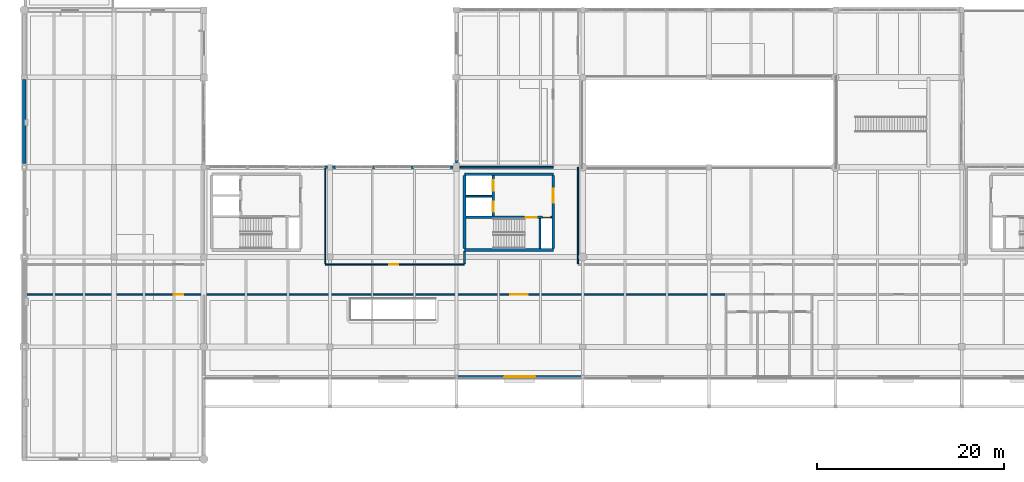
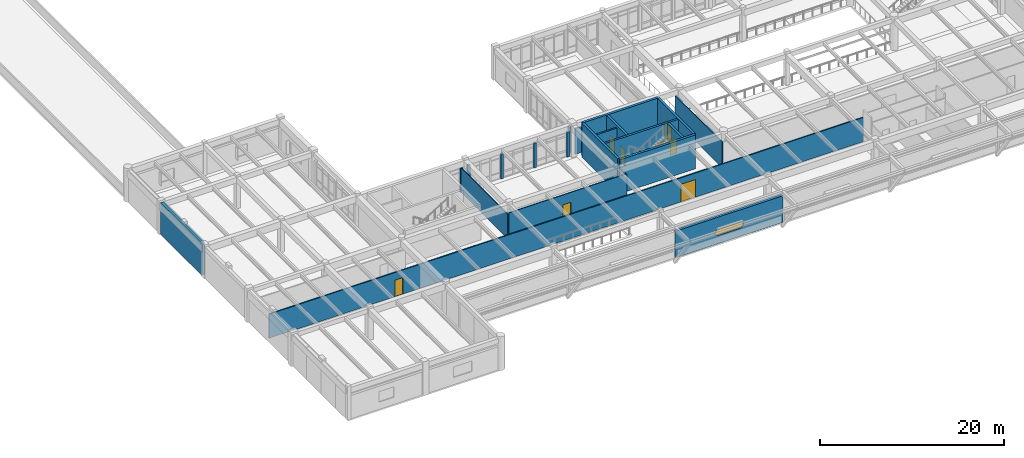
# One storey, part 88 of 109: 22 walls, 8 doors, 1 window, 9 openings.
"""IFC4 building model written with IfcOpenShell, lengths in metres."""

from ifc_helpers import new_model, si_unit, direction, frame, frame_2d, origin, place, context, subcontext, project, spatial, polyline, rectangle, outline, extrude, material, layer, layer_set, type_object, element, fill, save


model = new_model("IFC4")

# Units and contexts
model_context = context("Model", 3, precision=1e-05, world=origin(), true_north=direction((0.0, 1.0)))
body_context = subcontext(model_context, "Body", "Model", "MODEL_VIEW")
ifc_project = project(units=[si_unit("LENGTHUNIT", "METRE"), si_unit("AREAUNIT", "SQUARE_METRE"), si_unit("VOLUMEUNIT", "CUBIC_METRE"), si_unit("PLANEANGLEUNIT", "RADIAN"), si_unit("MASSUNIT", "GRAM", prefix="KILO")], contexts=[model_context])

# Site, building, storey
site_placement = place(None, origin())
site = spatial("IfcSite", under=ifc_project, at=site_placement, CompositionType="ELEMENT")
building_placement = place(site_placement, origin())
building = spatial("IfcBuilding", under=site, at=building_placement, Name="Fikremerkos Civic Library", CompositionType="ELEMENT")
storey_placement = place(building_placement, frame((0.0, 0.0, 5.39990234375)))
storey = spatial("IfcBuildingStorey", under=building, at=storey_placement, Name="L01", CompositionType="ELEMENT", Elevation=5.39990234375)

# Walls
ifc_material_1 = material(Name="Concrete C40/50", Category="concrete")
ifc_layer_1 = layer(ifc_material_1, 0.300048828125, Name="Concrete C40/50")
ifc_layer_set_1 = layer_set([ifc_layer_1], Name="Concrete C40/50")
wall_type_1 = type_object("IfcWallType", Name="Core shear wall CSW-01 300", PredefinedType="SHEAR", material=ifc_layer_set_1)
for number, where, z_axis, x_axis, name in (
    (1, (56.550048828125, 22.35009765625, 0.0), (0.0, 0.0, 1.0), (-1.0, 0.0, 0.0), "Core K3 south shear wall L01"),
    (2, (47.050048828125, 30.449951171875, 0.0), (0.0, 0.0, 1.0), (1.0, 0.0, 0.0), "Core K3 north shear wall L01"),
):
    element("IfcWall", number, at=place(storey_placement, frame(where, z_axis=z_axis, x_axis=x_axis)), inside=storey, type_object=wall_type_1, Name=name, PredefinedType="SHEAR", context=body_context, shape_type="SweptSolid", body=[
        extrude(rectangle(XDim=9.5, YDim=0.300048828125, at=frame_2d((4.75, 0.0))), origin(), (0.0, 0.0, 1.0), 4.5),
    ])
wall_1_placement = place(storey_placement, frame((47.050048828125, 22.501953125, 0.0), z_axis=(0.0, 0.0, 1.0), x_axis=(0.0, 1.0, 0.0)))
element("IfcWall", 3, at=wall_1_placement, inside=storey, type_object=wall_type_1, Name="Core K3 west shear wall L01", PredefinedType="SHEAR", context=body_context, shape_type="SweptSolid", body=[
    extrude(rectangle(XDim=7.796142578125, YDim=0.300048828125, at=frame_2d((3.89794921875, 0.0))), origin(), (0.0, 0.0, 1.0), 4.5),
])

# Wall, opening, door
wall_2_placement = place(storey_placement, frame((56.550048828125, 30.298095703125, 0.0), z_axis=(0.0, 0.0, 1.0), x_axis=(0.0, -1.0, 0.0)))
wall_2 = element("IfcWall", 4, at=wall_2_placement, inside=storey, type_object=wall_type_1, Name="Core K3 east shear wall L01", PredefinedType="SHEAR", context=body_context, shape_type="SweptSolid", body=[
    extrude(rectangle(XDim=7.796142578125, YDim=0.300048828125, at=frame_2d((3.89794921875, 0.0))), origin(), (0.0, 0.0, 1.0), 4.5),
])
opening_1_placement = place(wall_2_placement, frame((1.39794921875, 0.0, 0.0)))
opening_1 = element("IfcOpeningElement", 5, at=opening_1_placement, cuts=wall_2, Name="Opening D086", PredefinedType="OPENING", context=body_context, shape_type="SweptSolid", body=[
    extrude(rectangle(XDim=1.5, YDim=2.25, at=frame_2d((0.75, 1.125))), frame((0.0, 0.159912109375, 0.0), z_axis=(0.0, -1.0, 0.0), x_axis=(1.0, 0.0, 0.0)), (0.0, 0.0, 1.0), 0.320068359375),
])
ifc_material_2 = material(Name="Hardwood timber and acoustic glass", Category="wood")
door_type_1 = type_object("IfcDoorType", Name="Pedestrian door DT-05 1500x2250", OperationType="NOTDEFINED", PredefinedType="DOOR", material=ifc_material_2)
door_1_placement = place(opening_1_placement, origin())
door_1 = element("IfcDoor", 6, at=door_1_placement, inside=storey, type_object=door_type_1, Name="Core K3 lobby fire door D086 L01", OperationType="SINGLE_SWING_LEFT", OverallHeight=2.25, OverallWidth=1.5, PredefinedType="DOOR", context=body_context, shape_type="SweptSolid", body=[
    extrude(rectangle(XDim=1.5, YDim=2.25, at=frame_2d((0.75, 1.125))), frame((0.0, 0.032470703125, 0.0), z_axis=(0.0, -1.0, 0.0), x_axis=(1.0, 0.0, 0.0)), (0.0, 0.0, 1.0), 0.06494140625),
])
fill(opening_1, door_1)

# Wall, openings, doors
ifc_layer_2 = layer(ifc_material_1, 0.260009765625, Name="Concrete C40/50")
ifc_layer_set_2 = layer_set([ifc_layer_2], Name="Concrete C40/50")
wall_type_2 = type_object("IfcWallType", Name="Core shear wall CSW-02 260", PredefinedType="SHEAR", material=ifc_layer_set_2)
wall_3_placement = place(storey_placement, frame((47.201904296875, 25.830078125, 0.0), z_axis=(0.0, 0.0, 1.0), x_axis=(1.0, 0.0, 0.0)))
wall_3 = element("IfcWall", 7, at=wall_3_placement, inside=storey, type_object=wall_type_2, Name="Core K3 stair compartment wall L01", PredefinedType="SHEAR", context=body_context, shape_type="SweptSolid", body=[
    extrude(rectangle(XDim=9.196044921875, YDim=0.260009765625, at=frame_2d((4.59814453125, 0.0))), origin(), (0.0, 0.0, 1.0), 4.5),
])
opening_2_placement = place(wall_3_placement, frame((6.39794921875, 0.0, 0.0)))
opening_2 = element("IfcOpeningElement", 8, at=opening_2_placement, cuts=wall_3, Name="Opening D087", PredefinedType="OPENING", context=body_context, shape_type="SweptSolid", body=[
    extrude(rectangle(XDim=1.199951171875, YDim=2.199951171875, at=frame_2d((0.60009765625, 1.10009765625))), frame((0.0, 0.139892578125, 0.0), z_axis=(0.0, -1.0, 0.0), x_axis=(1.0, 0.0, 0.0)), (0.0, 0.0, 1.0), 0.280029296875),
])
opening_3_placement = place(wall_3_placement, frame((8.202880859375, 0.0, 0.0)))
opening_3 = element("IfcOpeningElement", 9, at=opening_3_placement, cuts=wall_3, Name="Opening D088", PredefinedType="OPENING", context=body_context, shape_type="SweptSolid", body=[
    extrude(rectangle(XDim=0.85009765625, YDim=2.050048828125, at=frame_2d((0.425048828125, 1.02490234375))), frame((0.0, 0.139892578125, 0.0), z_axis=(0.0, -1.0, 0.0), x_axis=(1.0, 0.0, 0.0)), (0.0, 0.0, 1.0), 0.280029296875),
])
door_type_2 = type_object("IfcDoorType", Name="Pedestrian door DT-06 1200x2200", OperationType="NOTDEFINED", PredefinedType="DOOR", material=ifc_material_2)
door_2_placement = place(opening_2_placement, origin())
door_2 = element("IfcDoor", 10, at=door_2_placement, inside=storey, type_object=door_type_2, Name="Core K3 stair fire door D087 L01", OperationType="SINGLE_SWING_LEFT", OverallHeight=2.199951171875, OverallWidth=1.199951171875, PredefinedType="DOOR", context=body_context, shape_type="SweptSolid", body=[
    extrude(rectangle(XDim=1.199951171875, YDim=2.199951171875, at=frame_2d((0.60009765625, 1.10009765625))), frame((0.0, 0.032470703125, 0.0), z_axis=(0.0, -1.0, 0.0), x_axis=(1.0, 0.0, 0.0)), (0.0, 0.0, 1.0), 0.06494140625),
])
fill(opening_2, door_2)
door_type_3 = type_object("IfcDoorType", Name="Pedestrian door DT-08 850x2050", OperationType="NOTDEFINED", PredefinedType="DOOR", material=ifc_material_2)
door_3_placement = place(opening_3_placement, origin())
door_3 = element("IfcDoor", 11, at=door_3_placement, inside=storey, type_object=door_type_3, Name="Core K3 riser access fire door D088 L01", OperationType="SINGLE_SWING_LEFT", OverallHeight=2.050048828125, OverallWidth=0.85009765625, PredefinedType="DOOR", context=body_context, shape_type="SweptSolid", body=[
    extrude(rectangle(XDim=0.85009765625, YDim=2.050048828125, at=frame_2d((0.425048828125, 1.02490234375))), frame((0.0, 0.032470703125, 0.0), z_axis=(0.0, -1.0, 0.0), x_axis=(1.0, 0.0, 0.0)), (0.0, 0.0, 1.0), 0.06494140625),
])
fill(opening_3, door_3)

# Wall
wall_4_placement = place(storey_placement, frame((55.1298828125, 22.501953125, 0.0), z_axis=(0.0, 0.0, 1.0), x_axis=(0.0, 1.0, 0.0)))
element("IfcWall", 12, at=wall_4_placement, inside=storey, type_object=wall_type_2, Name="Core K3 stair-riser shear wall L01", PredefinedType="SHEAR", context=body_context, shape_type="SweptSolid", body=[
    extrude(rectangle(XDim=3.196044921875, YDim=0.260009765625, at=frame_2d((1.59814453125, 0.0))), origin(), (0.0, 0.0, 1.0), 4.5),
])

# Wall, openings, doors
wall_5_placement = place(storey_placement, frame((50.1298828125, 25.9619140625, 0.0), z_axis=(0.0, 0.0, 1.0), x_axis=(0.0, 1.0, 0.0)))
wall_5 = element("IfcWall", 13, at=wall_5_placement, inside=storey, type_object=wall_type_2, Name="Core K3 lift shaft front wall L01", PredefinedType="SHEAR", context=body_context, shape_type="SweptSolid", body=[
    extrude(rectangle(XDim=4.336181640625, YDim=0.260009765625, at=frame_2d((2.16796875, 0.0))), origin(), (0.0, 0.0, 1.0), 4.5),
])
opening_4_placement = place(wall_5_placement, frame((0.468017578125, 0.0, 0.0)))
opening_4 = element("IfcOpeningElement", 14, at=opening_4_placement, cuts=wall_5, Name="Opening LD39", PredefinedType="OPENING", context=body_context, shape_type="SweptSolid", body=[
    extrude(rectangle(XDim=1.10009765625, YDim=2.14990234375, at=frame_2d((0.550048828125, 1.074951171875))), frame((0.0, 0.139892578125, 0.0), z_axis=(0.0, -1.0, 0.0), x_axis=(1.0, 0.0, 0.0)), (0.0, 0.0, 1.0), 0.280029296875),
])
opening_5_placement = place(wall_5_placement, frame((2.738037109375, 0.0, 0.0)))
opening_5 = element("IfcOpeningElement", 15, at=opening_5_placement, cuts=wall_5, Name="Opening LD40", PredefinedType="OPENING", context=body_context, shape_type="SweptSolid", body=[
    extrude(rectangle(XDim=1.10009765625, YDim=2.14990234375, at=frame_2d((0.550048828125, 1.074951171875))), frame((0.0, 0.139892578125, 0.0), z_axis=(0.0, -1.0, 0.0), x_axis=(1.0, 0.0, 0.0)), (0.0, 0.0, 1.0), 0.280029296875),
])
ifc_material_3 = material(Name="Brushed stainless steel", Category="steel")
door_type_4 = type_object("IfcDoorType", Name="Lift landing door LDT-01 1100x2150", OperationType="NOTDEFINED", PredefinedType="DOOR", material=ifc_material_3)
door_4_placement = place(opening_4_placement, origin())
door_4 = element("IfcDoor", 16, at=door_4_placement, inside=storey, type_object=door_type_4, Name="Lift LF05 sliding landing door LD39 L01", OperationType="SLIDING_TO_LEFT", OverallHeight=2.14990234375, OverallWidth=1.10009765625, PredefinedType="DOOR", context=body_context, shape_type="SweptSolid", body=[
    extrude(rectangle(XDim=1.10009765625, YDim=2.14990234375, at=frame_2d((0.550048828125, 1.074951171875))), frame((0.0, 0.032470703125, 0.0), z_axis=(0.0, -1.0, 0.0), x_axis=(1.0, 0.0, 0.0)), (0.0, 0.0, 1.0), 0.06494140625),
])
fill(opening_4, door_4)
door_5_placement = place(opening_5_placement, origin())
door_5 = element("IfcDoor", 17, at=door_5_placement, inside=storey, type_object=door_type_4, Name="Lift LF06 sliding landing door LD40 L01", OperationType="SLIDING_TO_LEFT", OverallHeight=2.14990234375, OverallWidth=1.10009765625, PredefinedType="DOOR", context=body_context, shape_type="SweptSolid", body=[
    extrude(rectangle(XDim=1.10009765625, YDim=2.14990234375, at=frame_2d((0.550048828125, 1.074951171875))), frame((0.0, 0.032470703125, 0.0), z_axis=(0.0, -1.0, 0.0), x_axis=(1.0, 0.0, 0.0)), (0.0, 0.0, 1.0), 0.06494140625),
])
fill(opening_5, door_5)

# Wall
ifc_layer_3 = layer(ifc_material_1, 0.35009765625, Name="Concrete C40/50")
ifc_layer_set_3 = layer_set([ifc_layer_3], Name="Concrete C40/50")
wall_type_3 = type_object("IfcWallType", Name="Exterior solid wall ESW-01 350", PredefinedType="SOLIDWALL", material=ifc_layer_set_3)
wall_6_placement = place(storey_placement, frame((0.0, 31.572998046875, 0.0), z_axis=(0.0, 0.0, 1.0), x_axis=(0.0, 1.0, 0.0)))
element("IfcWall", 18, at=wall_6_placement, inside=storey, type_object=wall_type_3, Name="Party boundary wall ESW-01 L01 #335", PredefinedType="SOLIDWALL", context=body_context, shape_type="SweptSolid", body=[
    extrude(rectangle(XDim=8.97900390625, YDim=0.35009765625, at=frame_2d((4.489501953125, 0.0))), origin(), (0.0, 0.0, 1.0), 4.22021484375),
])

# Wall, opening, window
ifc_material_4 = material(Name="Precast concrete C40/50", Category="concrete")
ifc_layer_4 = layer(ifc_material_4, 0.320068359375, Name="Precast concrete C40/50")
ifc_layer_set_4 = layer_set([ifc_layer_4], Name="Precast concrete C40/50")
wall_type_4 = type_object("IfcWallType", Name="Exterior solid wall ESW-02 320", PredefinedType="SOLIDWALL", material=ifc_layer_set_4)
wall_7_placement = place(storey_placement, frame((59.697998046875, 8.800048828125, 0.0), z_axis=(0.0, 0.0, 1.0), x_axis=(-1.0, 0.0, 0.0)))
wall_7 = element("IfcWall", 19, at=wall_7_placement, inside=storey, type_object=wall_type_4, Name="Cantilever concrete band wall ESW-02 L01 #410", PredefinedType="SOLIDWALL", context=body_context, shape_type="SweptSolid", body=[
    extrude(rectangle(XDim=13.49609375, YDim=0.320068359375, at=frame_2d((6.748046875, 0.0))), origin(), (0.0, 0.0, 1.0), 3.52001953125),
])
opening_6_placement = place(wall_7_placement, frame((4.947998046875, 0.0, 1.10009765625)))
opening_6 = element("IfcOpeningElement", 20, at=opening_6_placement, cuts=wall_7, Name="Opening SW-05", PredefinedType="OPENING", context=body_context, shape_type="SweptSolid", body=[
    extrude(outline(polyline([(0.39990234375, 0.800048828125), (0.26318359375, 0.77587890625), (0.142822265625, 0.70654296875), (0.0537109375, 0.60009765625), (0.006103515625, 0.469482421875), (0.006103515625, 0.33056640625), (0.0537109375, 0.199951171875), (0.142822265625, 0.093505859375), (0.26318359375, 0.024169921875), (0.39990234375, 0.0), (3.2001953125, 0.0), (3.3369140625, 0.024169921875), (3.457275390625, 0.093505859375), (3.54638671875, 0.199951171875), (3.593994140625, 0.33056640625), (3.593994140625, 0.469482421875), (3.54638671875, 0.60009765625), (3.457275390625, 0.70654296875), (3.3369140625, 0.77587890625), (3.2001953125, 0.800048828125), (0.39990234375, 0.800048828125)])), frame((0.0, 0.169921875, 0.0), z_axis=(0.0, -1.0, 0.0), x_axis=(1.0, 0.0, 0.0)), (0.0, 0.0, 1.0), 0.340087890625),
])
ifc_material_5 = material(Name="Solar control double glazing", Category="glass")
window_type = type_object("IfcWindowType", Name="Facade slot window SW-05 3600x800", PartitioningType="SINGLE_PANEL", PredefinedType="WINDOW", material=ifc_material_5)
window_placement = place(opening_6_placement, origin())
window = element("IfcWindow", 21, at=window_placement, inside=storey, type_object=window_type, Name="Rounded-end facade slot window SW-05 L01 #5", OverallHeight=0.800048828125, OverallWidth=3.60009765625, PartitioningType="SINGLE_PANEL", PredefinedType="WINDOW", context=body_context, shape_type="SweptSolid", body=[
    extrude(outline(polyline([(0.39990234375, 0.800048828125), (0.26318359375, 0.77587890625), (0.142822265625, 0.70654296875), (0.0537109375, 0.60009765625), (0.006103515625, 0.469482421875), (0.006103515625, 0.33056640625), (0.0537109375, 0.199951171875), (0.142822265625, 0.093505859375), (0.26318359375, 0.024169921875), (0.39990234375, 0.0), (3.2001953125, 0.0), (3.3369140625, 0.024169921875), (3.457275390625, 0.093505859375), (3.54638671875, 0.199951171875), (3.593994140625, 0.33056640625), (3.593994140625, 0.469482421875), (3.54638671875, 0.60009765625), (3.457275390625, 0.70654296875), (3.3369140625, 0.77587890625), (3.2001953125, 0.800048828125), (0.39990234375, 0.800048828125)])), frame((0.0, 0.032470703125, 0.0), z_axis=(0.0, -1.0, 0.0), x_axis=(1.0, 0.0, 0.0)), (0.0, 0.0, 1.0), 0.06494140625),
])
fill(opening_6, window)

# Walls
ifc_layer_5 = layer(ifc_material_4, 0.25, Name="Precast concrete C40/50")
ifc_layer_set_5 = layer_set([ifc_layer_5], Name="Precast concrete C40/50")
wall_type_5 = type_object("IfcWallType", Name="Exterior solid wall ESW-05 250", PredefinedType="SOLIDWALL", material=ifc_layer_set_5)
wall_8_placement = place(storey_placement, frame((32.076904296875, 31.199951171875, 0.0), z_axis=(0.0, 0.0, 1.0), x_axis=(1.0, 0.0, 0.0)))
element("IfcWall", 22, at=wall_8_placement, inside=storey, type_object=wall_type_5, Name="Exterior facade pier ESW-05 #344", PredefinedType="SOLIDWALL", context=body_context, shape_type="SweptSolid", body=[
    extrude(rectangle(XDim=0.35009765625, YDim=0.25, at=frame_2d((0.175048828125, 0.0))), origin(), (0.0, 0.0, 1.0), 3.170166015625),
])
for number, where, z_axis, x_axis, name in (
    (23, (32.972900390625, 31.199951171875, 0.0), (0.0, 0.0, 1.0), (1.0, 0.0, 0.0), "Exterior facade pier ESW-05 #347"),
    (24, (45.501953125, 31.199951171875, 0.0), (0.0, 0.0, 1.0), (1.0, 0.0, 0.0), "Exterior facade pier ESW-05 #348"),
):
    element("IfcWall", number, at=place(storey_placement, frame(where, z_axis=z_axis, x_axis=x_axis)), inside=storey, type_object=wall_type_5, Name=name, PredefinedType="SOLIDWALL", context=body_context, shape_type="SweptSolid", body=[
        extrude(rectangle(XDim=0.35009765625, YDim=0.25, at=frame_2d((0.175048828125, 0.0))), origin(), (0.0, 0.0, 1.0), 3.320068359375),
    ])
for number, where, z_axis, x_axis, name in (
    (25, (37.1826171875, 31.199951171875, 0.0), (0.0, 0.0, 1.0), (1.0, 0.0, 0.0), "Exterior facade mullion pier ESW-05 #349"),
    (26, (41.34228515625, 31.199951171875, 0.0), (0.0, 0.0, 1.0), (1.0, 0.0, 0.0), "Exterior facade mullion pier ESW-05 #350"),
):
    element("IfcWall", number, at=place(storey_placement, frame(where, z_axis=z_axis, x_axis=x_axis)), inside=storey, type_object=wall_type_5, Name=name, PredefinedType="SOLIDWALL", context=body_context, shape_type="SweptSolid", body=[
        extrude(rectangle(XDim=0.300048828125, YDim=0.25, at=frame_2d((0.14990234375, 0.0))), origin(), (0.0, 0.0, 1.0), 3.320068359375),
    ])
wall_9_placement = place(storey_placement, frame((46.199951171875, 31.64794921875, 0.0), z_axis=(0.0, 0.0, 1.0), x_axis=(0.0, 1.0, 0.0)))
element("IfcWall", 27, at=wall_9_placement, inside=storey, type_object=wall_type_5, Name="Exterior facade pier ESW-05 #351", PredefinedType="SOLIDWALL", context=body_context, shape_type="SweptSolid", body=[
    extrude(rectangle(XDim=0.35009765625, YDim=0.25, at=frame_2d((0.175048828125, 0.0))), origin(), (0.0, 0.0, 1.0), 3.420166015625),
])
ifc_material_6 = material(Name="Acoustic concrete blockwork", Category="masonry")
ifc_layer_6 = layer(ifc_material_6, 0.18994140625, Name="Acoustic concrete blockwork")
ifc_layer_set_6 = layer_set([ifc_layer_6], Name="Acoustic concrete blockwork")
wall_type_6 = type_object("IfcWallType", Name="Interior partition wall IPW-01 190", PredefinedType="PARTITIONING", material=ifc_layer_set_6)
wall_10_placement = place(storey_placement, frame((46.552978515625, 31.199951171875, 0.0), z_axis=(0.0, 0.0, 1.0), x_axis=(1.0, 0.0, 0.0)))
element("IfcWall", 28, at=wall_10_placement, inside=storey, type_object=wall_type_6, Name="Interior wall IPW-01 L01 #156", PredefinedType="PARTITIONING", context=body_context, shape_type="SweptSolid", body=[
    extrude(rectangle(XDim=9.9970703125, YDim=0.18994140625, at=frame_2d((4.99853515625, 0.0))), origin(), (0.0, 0.0, 1.0), 3.420166015625),
])
wall_11_placement = place(storey_placement, frame((47.050048828125, 20.905029296875, 0.0), z_axis=(0.0, 0.0, 1.0), x_axis=(0.0, 1.0, 0.0)))
element("IfcWall", 29, at=wall_11_placement, inside=storey, type_object=wall_type_6, Name="Interior wall IPW-01 L01 #168", PredefinedType="PARTITIONING", context=body_context, shape_type="SweptSolid", body=[
    extrude(rectangle(XDim=1.2919921875, YDim=0.18994140625, at=frame_2d((0.64599609375, 0.0))), origin(), (0.0, 0.0, 1.0), 3.3701171875),
])

# Wall, openings, doors
ifc_material_7 = material(Name="Acoustic gypsum stud partition")
ifc_layer_7 = layer(ifc_material_7, 0.14990234375, Name="Acoustic gypsum stud partition")
ifc_layer_set_7 = layer_set([ifc_layer_7], Name="Acoustic gypsum stud partition")
wall_type_7 = type_object("IfcWallType", Name="Interior partition wall IPW-02 150", PredefinedType="PARTITIONING", material=ifc_layer_set_7)
wall_12_placement = place(storey_placement, frame((0.177978515625, 17.60009765625, 0.0), z_axis=(0.0, 0.0, 1.0), x_axis=(1.0, 0.0, 0.0)))
wall_12 = element("IfcWall", 30, at=wall_12_placement, inside=storey, type_object=wall_type_7, Name="Interior wall IPW-02 L01 #153", PredefinedType="PARTITIONING", context=body_context, shape_type="SweptSolid", body=[
    extrude(rectangle(XDim=74.77197265625, YDim=0.14990234375, at=frame_2d((37.385986328125, 0.0))), origin(), (0.0, 0.0, 1.0), 3.210205078125),
])
opening_7_placement = place(wall_12_placement, frame((15.822021484375, 0.0, 0.0)))
opening_7 = element("IfcOpeningElement", 31, at=opening_7_placement, cuts=wall_12, Name="Opening D200", PredefinedType="OPENING", context=body_context, shape_type="SweptSolid", body=[
    extrude(rectangle(XDim=1.0, YDim=2.199951171875, at=frame_2d((0.5, 1.10009765625))), frame((0.0, 0.0849609375, 0.0), z_axis=(0.0, -1.0, 0.0), x_axis=(1.0, 0.0, 0.0)), (0.0, 0.0, 1.0), 0.169921875),
])
opening_8_placement = place(wall_12_placement, frame((51.797119140625, 0.0, 0.0)))
opening_8 = element("IfcOpeningElement", 32, at=opening_8_placement, cuts=wall_12, Name="Opening D202", PredefinedType="OPENING", context=body_context, shape_type="SweptSolid", body=[
    extrude(rectangle(XDim=1.85009765625, YDim=2.35009765625, at=frame_2d((0.925048828125, 1.175048828125))), frame((0.0, 0.0849609375, 0.0), z_axis=(0.0, -1.0, 0.0), x_axis=(1.0, 0.0, 0.0)), (0.0, 0.0, 1.0), 0.169921875),
])
door_type_5 = type_object("IfcDoorType", Name="Pedestrian door DT-01 1000x2200", OperationType="NOTDEFINED", PredefinedType="DOOR", material=ifc_material_2)
door_6_placement = place(opening_7_placement, origin())
door_6 = element("IfcDoor", 33, at=door_6_placement, inside=storey, type_object=door_type_5, Name="Interior door D200 L01", OperationType="SINGLE_SWING_LEFT", OverallHeight=2.199951171875, OverallWidth=1.0, PredefinedType="DOOR", context=body_context, shape_type="SweptSolid", body=[
    extrude(rectangle(XDim=1.0, YDim=2.199951171875, at=frame_2d((0.5, 1.10009765625))), frame((0.0, 0.032470703125, 0.0), z_axis=(0.0, -1.0, 0.0), x_axis=(1.0, 0.0, 0.0)), (0.0, 0.0, 1.0), 0.06494140625),
])
fill(opening_7, door_6)
door_type_6 = type_object("IfcDoorType", Name="Pedestrian door DT-09 1850x2350", OperationType="NOTDEFINED", PredefinedType="DOOR", material=ifc_material_2)
door_7_placement = place(opening_8_placement, origin())
door_7 = element("IfcDoor", 34, at=door_7_placement, inside=storey, type_object=door_type_6, Name="Interior door D202 L01", OperationType="SINGLE_SWING_LEFT", OverallHeight=2.35009765625, OverallWidth=1.85009765625, PredefinedType="DOOR", context=body_context, shape_type="SweptSolid", body=[
    extrude(rectangle(XDim=1.85009765625, YDim=2.35009765625, at=frame_2d((0.925048828125, 1.175048828125))), frame((0.0, 0.032470703125, 0.0), z_axis=(0.0, -1.0, 0.0), x_axis=(1.0, 0.0, 0.0)), (0.0, 0.0, 1.0), 0.06494140625),
])
fill(opening_8, door_7)

# Wall
ifc_material_8 = material(Name="Gypsum metal stud partition")
ifc_layer_8 = layer(ifc_material_8, 0.1298828125, Name="Gypsum metal stud partition")
ifc_layer_set_8 = layer_set([ifc_layer_8], Name="Gypsum metal stud partition")
wall_type_8 = type_object("IfcWallType", Name="Interior partition wall IPW-03 130", PredefinedType="PARTITIONING", material=ifc_layer_set_8)
wall_13_placement = place(storey_placement, frame((59.199951171875, 20.905029296875, 0.0), z_axis=(0.0, 0.0, 1.0), x_axis=(0.0, 1.0, 0.0)))
element("IfcWall", 35, at=wall_13_placement, inside=storey, type_object=wall_type_8, Name="Interior wall IPW-03 L01 #170", PredefinedType="PARTITIONING", context=body_context, shape_type="SweptSolid", body=[
    extrude(rectangle(XDim=10.294921875, YDim=0.1298828125, at=frame_2d((5.1474609375, 0.0))), origin(), (0.0, 0.0, 1.0), 3.3701171875),
])

# Wall, opening, door
ifc_material_9 = material(Name="Lightweight metal stud partition")
ifc_layer_9 = layer(ifc_material_9, 0.110107421875, Name="Lightweight metal stud partition")
ifc_layer_set_9 = layer_set([ifc_layer_9], Name="Lightweight metal stud partition")
wall_type_9 = type_object("IfcWallType", Name="Interior partition wall IPW-04 110", PredefinedType="PARTITIONING", material=ifc_layer_set_9)
wall_14_placement = place(storey_placement, frame((32.199951171875, 20.800048828125, 0.0), z_axis=(0.0, 0.0, 1.0), x_axis=(1.0, 0.0, 0.0)))
wall_14 = element("IfcWall", 36, at=wall_14_placement, inside=storey, type_object=wall_type_9, Name="Interior wall IPW-04 L01 #155", PredefinedType="PARTITIONING", context=body_context, shape_type="SweptSolid", body=[
    extrude(rectangle(XDim=14.85009765625, YDim=0.110107421875, at=frame_2d((7.425048828125, 0.0))), origin(), (0.0, 0.0, 1.0), 3.52001953125),
])
opening_9_placement = place(wall_14_placement, frame((6.800048828125, 0.0, 0.0)))
opening_9 = element("IfcOpeningElement", 37, at=opening_9_placement, cuts=wall_14, Name="Opening D205", PredefinedType="OPENING", context=body_context, shape_type="SweptSolid", body=[
    extrude(rectangle(XDim=1.0, YDim=2.199951171875, at=frame_2d((0.5, 1.10009765625))), frame((0.0, 0.06494140625, 0.0), z_axis=(0.0, -1.0, 0.0), x_axis=(1.0, 0.0, 0.0)), (0.0, 0.0, 1.0), 0.130126953125),
])
door_8_placement = place(opening_9_placement, origin())
door_8 = element("IfcDoor", 38, at=door_8_placement, inside=storey, type_object=door_type_5, Name="Interior door D205 L01", OperationType="SINGLE_SWING_RIGHT", OverallHeight=2.199951171875, OverallWidth=1.0, PredefinedType="DOOR", context=body_context, shape_type="SweptSolid", body=[
    extrude(rectangle(XDim=1.0, YDim=2.199951171875, at=frame_2d((0.5, 1.10009765625))), frame((0.0, 0.032470703125, 0.0), z_axis=(0.0, -1.0, 0.0), x_axis=(1.0, 0.0, 0.0)), (0.0, 0.0, 1.0), 0.06494140625),
])
fill(opening_9, door_8)

# Walls
wall_15_placement = place(storey_placement, frame((32.199951171875, 20.905029296875, 0.0), z_axis=(0.0, 0.0, 1.0), x_axis=(0.0, 1.0, 0.0)))
element("IfcWall", 39, at=wall_15_placement, inside=storey, type_object=wall_type_9, Name="Interior wall IPW-04 L01 #167", PredefinedType="PARTITIONING", context=body_context, shape_type="SweptSolid", body=[
    extrude(rectangle(XDim=10.166015625, YDim=0.110107421875, at=frame_2d((5.0830078125, 0.0))), origin(), (0.0, 0.0, 1.0), 3.27001953125),
])
ifc_material_10 = material(Name="Concrete C35/45", Category="concrete")
ifc_layer_10 = layer(ifc_material_10, 0.199951171875, Name="Concrete C35/45")
ifc_layer_set_10 = layer_set([ifc_layer_10], Name="Concrete C35/45")
wall_type_10 = type_object("IfcWallType", Name="Service duct wall SDW-01 200", PredefinedType="PLUMBINGWALL", material=ifc_layer_set_10)
wall_16_placement = place(storey_placement, frame((47.201904296875, 28.10009765625, 0.0), z_axis=(0.0, 0.0, 1.0), x_axis=(1.0, 0.0, 0.0)))
element("IfcWall", 40, at=wall_16_placement, inside=storey, type_object=wall_type_10, Name="Core K3 inter-lift shaft wall L01", PredefinedType="PLUMBINGWALL", context=body_context, shape_type="SweptSolid", body=[
    extrude(rectangle(XDim=2.796142578125, YDim=0.199951171875, at=frame_2d((1.39794921875, 0.0))), origin(), (0.0, 0.0, 1.0), 4.18017578125),
])

save(model, "model.ifc")
